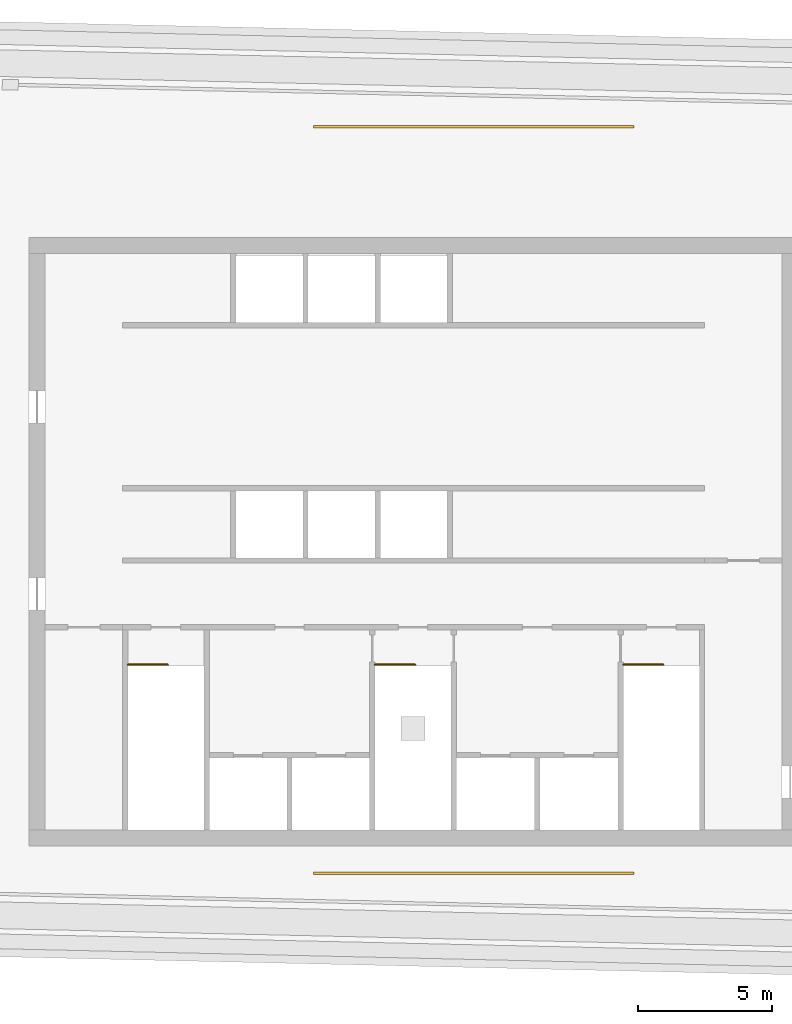
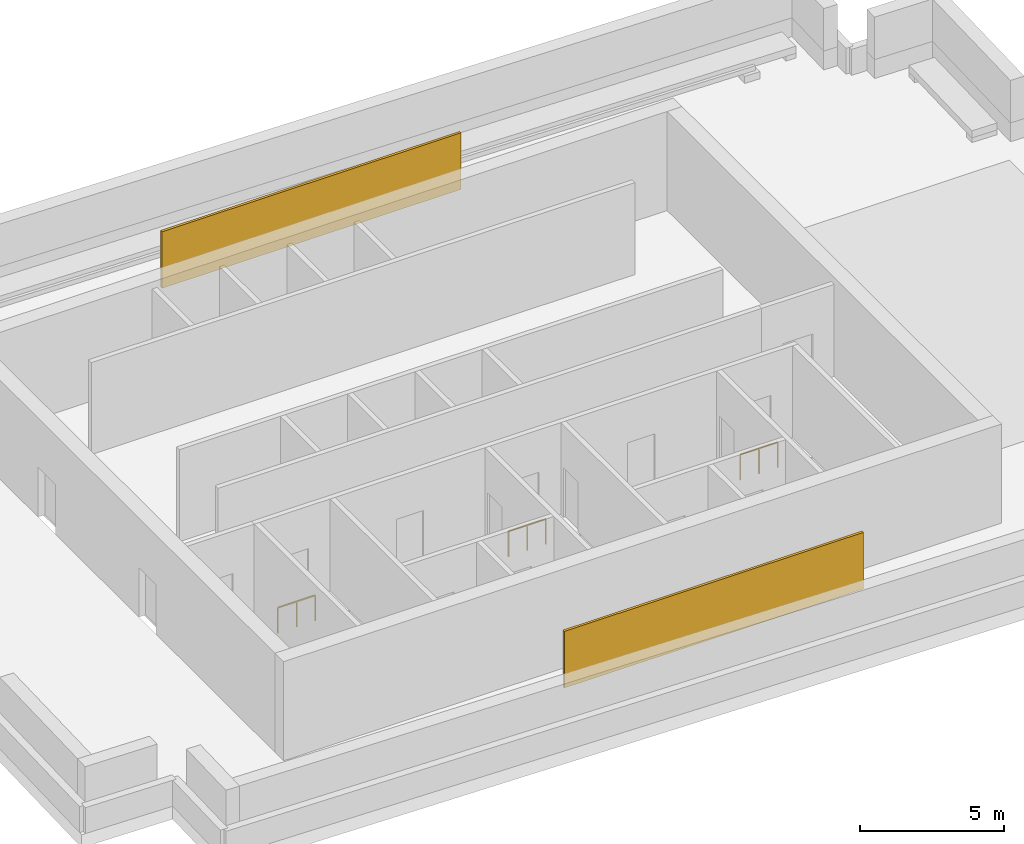
# One storey, part 4 of 4: 3 railings, 2 shading devices.
"""IFC4 building model written with IfcOpenShell, lengths in metres."""

from ifc_helpers import new_model, si_unit, direction, frame, origin, origin_2d, place, context, subcontext, project, spatial, rectangle, extrude, material, type_object, element, save


model = new_model("IFC4")

# Units and contexts
model_context = context("Model", 3, precision=1e-05, world=origin(), true_north=direction((0.0, 1.0)))
body_context = subcontext(model_context, "Body", "Model", "MODEL_VIEW")
ifc_project = project(units=[si_unit("LENGTHUNIT", "METRE"), si_unit("AREAUNIT", "SQUARE_METRE"), si_unit("VOLUMEUNIT", "CUBIC_METRE"), si_unit("PLANEANGLEUNIT", "RADIAN"), si_unit("MASSUNIT", "GRAM", prefix="KILO")], contexts=[model_context])

# Site, building, storey
site_placement = place(None, origin())
site = spatial("IfcSite", under=ifc_project, at=site_placement, CompositionType="ELEMENT")
building_placement = place(site_placement, origin())
building = spatial("IfcBuilding", under=site, at=building_placement, Name="Mangrove Gate Tower", CompositionType="ELEMENT")
storey_placement = place(building_placement, frame((0.0, 0.0, 354.300048828125)))
storey = spatial("IfcBuildingStorey", under=building, at=storey_placement, Name="ROOF", CompositionType="ELEMENT", Elevation=354.300048828125)

# Railings
ifc_material_1 = material(Name="Stainless steel 316", Category="steel")
railing_type = type_object("IfcRailingType", Name="Core stair guard 1100", PredefinedType="GUARDRAIL", material=ifc_material_1)
for number, where, name in (
    (1, (-10.699951171875, -4.60009765625, 0.0), "ROOF ST1 top well guard 1"),
    (2, (-1.449951171875, -4.60009765625, 0.0), "ROOF ST2 top well guard 1"),
    (3, (7.85009765625, -4.60009765625, 0.0), "ROOF ST3 top well guard 1"),
):
    element("IfcRailing", number, at=place(storey_placement, frame(where)), inside=storey, type_object=railing_type, Name=name, PredefinedType="GUARDRAIL", context=body_context, shape_type="SweptSolid", body=[
        extrude(rectangle(XDim=0.048095703125, YDim=0.048095703125, at=origin_2d()), frame((0.0, 0.0, 1.076171875), z_axis=(1.0, 0.0, 0.0), x_axis=(0.0, 1.0, 0.0)), (0.0, 0.0, 1.0), 1.5),
        extrude(rectangle(XDim=0.0419921875, YDim=0.0419921875, at=origin_2d()), origin(), (0.0, 0.0, 1.0), 1.052001953125),
        extrude(rectangle(XDim=0.0419921875, YDim=0.0419921875, at=origin_2d()), frame((0.75, 0.0, 0.0)), (0.0, 0.0, 1.0), 1.052001953125),
        extrude(rectangle(XDim=0.0419921875, YDim=0.0419921875, at=origin_2d()), frame((1.5, 0.0, 0.0)), (0.0, 0.0, 1.0), 1.052001953125),
    ])

# Shading devices
ifc_material_2 = material(Name="Aluminium louvre screen", Category="aluminium")
shading_device_type = type_object("IfcShadingDeviceType", Name="Plant screen 2400", PredefinedType="USERDEFINED", material=ifc_material_2)
for number, where, z_axis, x_axis, name in (
    (4, (2.2490234375, 15.535888671875, 0.0), (0.0, 0.0, 1.0), (1.0, 0.0, 0.0), "SCREEN ROOF N"),
    (5, (2.2490234375, -12.409912109375, 0.0), (0.0, 0.0, 1.0), (1.0, 0.0, 0.0), "SCREEN ROOF S"),
):
    element("IfcShadingDevice", number, at=place(storey_placement, frame(where, z_axis=z_axis, x_axis=x_axis)), inside=storey, type_object=shading_device_type, Name=name, ObjectType="SCREEN", PredefinedType="USERDEFINED", context=body_context, shape_type="SweptSolid", body=[
        extrude(rectangle(XDim=12.0, YDim=0.10009765625, at=origin_2d()), origin(), (0.0, 0.0, 1.0), 2.39990234375),
    ])

save(model, "model.ifc")
